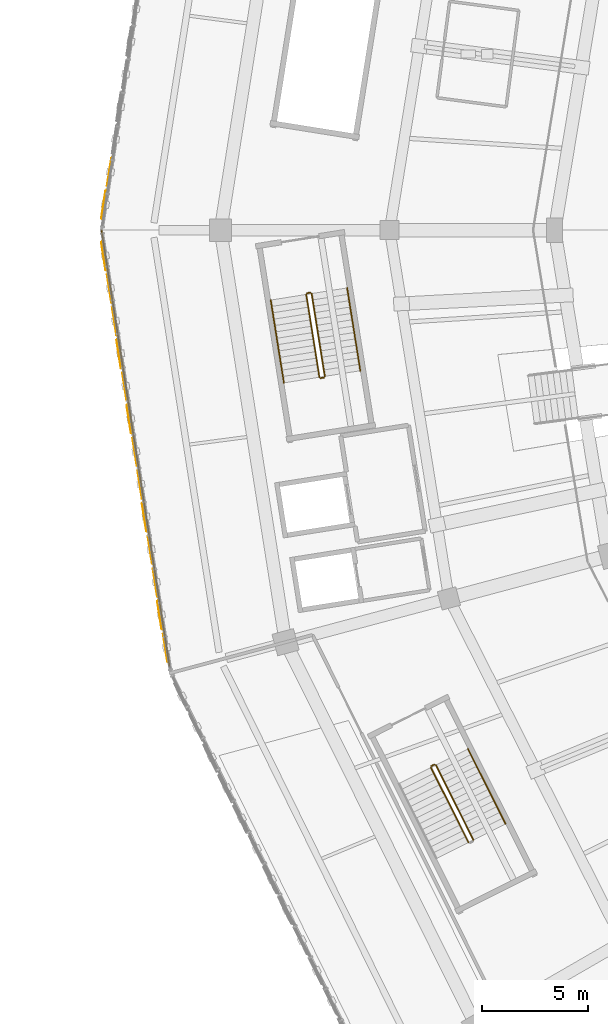
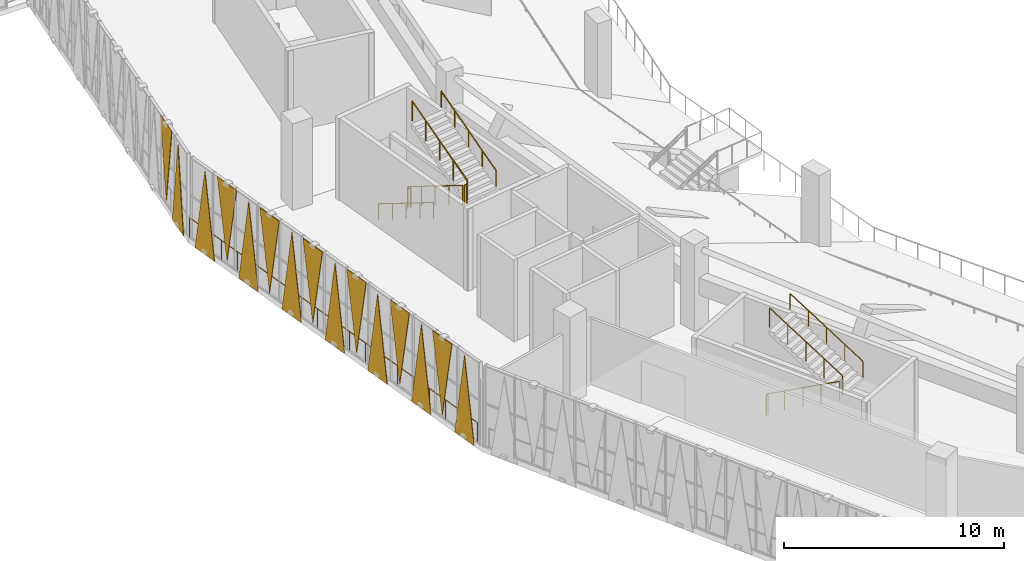
# One storey, part 121 of 152: 15 coverings, 11 railings.
"""IFC4 building model written with IfcOpenShell, lengths in metres."""

import ifcopenshell
import ifcopenshell.guid

model = None  # the IFC model being written
_history = None  # IfcOwnerHistory: only IFC2X3 demands one
_inside = {}  # id of a spatial element -> (the spatial element, [elements in it])
_under = {}  # id of a project, library or spatial element -> (it, [spatial elements below it])
_declared = {}  # id of a project -> (the project, [libraries it declares])
_typed = {}  # id of a type object -> (the type object, [elements of that type])
_made_of = {}  # id of a material, layer set ... -> (it, [elements and type objects made of it])


def new_model(schema):
    """Start an empty IFC model of exactly this schema.

    Asked for "IFC4X3", IfcOpenShell would pick the latest addendum, in which some entities
    have other attributes; the version numbers below select the first issue.
    IFC2X3 requires an IfcOwnerHistory on every rooted entity: one is made here for all.
    """
    global model, _history
    if schema == "IFC4X3":
        model = ifcopenshell.file(schema_version=(4, 3, 0, 0))
    else:
        model = ifcopenshell.file(schema=schema)
    _inside.clear()
    _under.clear()
    _declared.clear()
    _typed.clear()
    _made_of.clear()
    _history = None
    if model.schema == "IFC2X3":
        org = make("IfcOrganization", Name="unknown")
        user = make(
            "IfcPersonAndOrganization",
            ThePerson=make("IfcPerson", FamilyName="unknown"),
            TheOrganization=org,
        )
        app = make(
            "IfcApplication",
            ApplicationDeveloper=org,
            Version="unknown",
            ApplicationFullName="unknown",
            ApplicationIdentifier="unknown",
        )
        _history = make(
            "IfcOwnerHistory",
            OwningUser=user,
            OwningApplication=app,
            ChangeAction="ADDED",
            CreationDate=0,
        )
    return model


def make(cls, **values):
    """One entity of the class cls with the attributes given. An attribute that is None is left unset."""
    return model.create_entity(
        cls, **{name: value for name, value in values.items() if value is not None}
    )


def rooted(cls, **values):
    """An entity with a GlobalId (a new one), such as an element, a storey or a relation."""
    return make(cls, GlobalId=ifcopenshell.guid.new(), OwnerHistory=_history, **values)


def si_unit(unit_type, name, prefix=None):
    """IfcSIUnit, for example si_unit("LENGTHUNIT", "METRE", prefix="MILLI")."""
    return make("IfcSIUnit", UnitType=unit_type, Prefix=prefix, Name=name)


def assignment(units):
    """IfcUnitAssignment: the units of a project."""
    return None if units is None else make("IfcUnitAssignment", Units=units)


def point(xyz):
    """IfcCartesianPoint."""
    return None if xyz is None else make("IfcCartesianPoint", Coordinates=xyz)


def direction(xyz):
    """IfcDirection."""
    return None if xyz is None else make("IfcDirection", DirectionRatios=xyz)


def frame(location, z_axis=None, x_axis=None):
    """IfcAxis2Placement3D, a coordinate frame: its origin and axes. An axis left out is left unset."""
    return make(
        "IfcAxis2Placement3D",
        Location=point(location),
        Axis=direction(z_axis),
        RefDirection=direction(x_axis),
    )


def frame_2d(location, x_axis=None):
    """IfcAxis2Placement2D, a coordinate frame in the plane: its origin and x axis."""
    return make(
        "IfcAxis2Placement2D", Location=point(location), RefDirection=direction(x_axis)
    )


def origin():
    """The frame at (0, 0, 0) with its axes left unset."""
    return frame((0.0, 0.0, 0.0))


def origin_2d():
    """The frame at (0, 0) in the plane with its x axis left unset."""
    return frame_2d((0.0, 0.0))


def place(relative_to, where):
    """IfcLocalPlacement: puts the frame where relative to a parent placement (None: the world)."""
    return make(
        "IfcLocalPlacement", PlacementRelTo=relative_to, RelativePlacement=where
    )


def context(
    kind, dimensions, precision=None, world=None, true_north=None, identifier=None
):
    """IfcGeometricRepresentationContext, for example the 3D "Model" context."""
    return make(
        "IfcGeometricRepresentationContext",
        ContextIdentifier=identifier,
        ContextType=kind,
        CoordinateSpaceDimension=dimensions,
        Precision=precision,
        WorldCoordinateSystem=world,
        TrueNorth=true_north,
    )


def subcontext(parent, identifier, kind, view, scale=None):
    """IfcGeometricRepresentationSubContext, for example "Body" below "Model"."""
    return make(
        "IfcGeometricRepresentationSubContext",
        ContextIdentifier=identifier,
        ContextType=kind,
        ParentContext=parent,
        TargetScale=scale,
        TargetView=view,
    )


def project(units=None, contexts=None):
    """IfcProject with its units and contexts."""
    return rooted(
        "IfcProject",
        Name="project",
        RepresentationContexts=contexts,
        UnitsInContext=assignment(units),
    )


def spatial(cls, under=None, at=None, **own):
    """A site, building, storey or space (cls), placed at a placement, below another one or the project."""
    s = rooted(cls, ObjectPlacement=at, **own)
    if under is not None:
        _under.setdefault(under.id(), (under, []))[1].append(s)
    return s


def polyline(points):
    """IfcPolyline through the points."""
    return make("IfcPolyline", Points=[point(p) for p in points])


def profile(cls, at=None, kind="AREA", **sizes):
    """A parametric profile (cls). Its sizes go by their IFC names, for example OverallWidth=200.0."""
    return make(cls, ProfileType=kind, Position=at, **sizes)


def circle(**sizes):
    """IfcCircleProfileDef."""
    return profile("IfcCircleProfileDef", **sizes)


def outline(outer, holes=None, kind="AREA"):
    """IfcArbitraryClosedProfileDef: a profile drawn as a closed curve; with holes, ...WithVoids."""
    if holes is None:
        return make("IfcArbitraryClosedProfileDef", ProfileType=kind, OuterCurve=outer)
    return make(
        "IfcArbitraryProfileDefWithVoids",
        ProfileType=kind,
        OuterCurve=outer,
        InnerCurves=holes,
    )


def extrude(swept, where, along, depth):
    """IfcExtrudedAreaSolid: the profile swept, set in the frame where, extruded along a direction by depth."""
    return make(
        "IfcExtrudedAreaSolid",
        SweptArea=swept,
        Position=where,
        ExtrudedDirection=direction(along),
        Depth=depth,
    )


def shape(context_of_items, identifier, shape_type, items):
    """IfcShapeRepresentation: the items that make up one representation, for example the "Body"."""
    return make(
        "IfcShapeRepresentation",
        ContextOfItems=context_of_items,
        RepresentationIdentifier=identifier,
        RepresentationType=shape_type,
        Items=items,
    )


def material(Name=None, Category=None):
    """IfcMaterial."""
    return make("IfcMaterial", Name=Name, Category=Category)


def layer(
    of_material, thickness, ventilated=None, Name=None, Category=None, Priority=None
):
    """IfcMaterialLayer: one layer of a wall or slab, of a material (None: an air gap)."""
    return make(
        "IfcMaterialLayer",
        Material=of_material,
        LayerThickness=thickness,
        IsVentilated=ventilated,
        Name=Name,
        Category=Category,
        Priority=Priority,
    )


def layer_set(layers, Name=None):
    """IfcMaterialLayerSet."""
    return make("IfcMaterialLayerSet", MaterialLayers=layers, LayerSetName=Name)


def made_of(thing, what):
    """Note that an element or type object is made of a material, layer set ...; save() writes the relation."""
    if what is not None:
        _made_of.setdefault(what.id(), (what, []))[1].append(thing)
    return thing


def type_object(cls, material=None, **own):
    """A type object (cls), such as IfcWallType, which elements share."""
    return made_of(rooted(cls, **own), material)


def element(
    cls,
    number,
    at=None,
    inside=None,
    cuts=None,
    type_object=None,
    material=None,
    context=None,
    identifier="Body",
    shape_type=None,
    held_by="IfcProductDefinitionShape",
    body=None,
    shapes=None,
    **own,
):
    """One element of the class cls, such as IfcWall. Its Tag is "e" and its number.

    at: its placement. inside: the storey or other place that contains it. cuts: it is an
    opening in that element (IfcRelVoidsElement). A single representation is given by context,
    identifier, shape_type and body (its items); several are given by shapes. held_by: the class
    of the entity that holds the representations. save() writes the other relations.
    """
    e = rooted(cls, Tag="e%d" % number, ObjectPlacement=at, **own)
    if body is not None:
        shapes = [shape(context, identifier, shape_type, body)]
    if shapes is not None:
        e.Representation = make(held_by, Representations=shapes)
    if inside is not None:
        _inside.setdefault(inside.id(), (inside, []))[1].append(e)
    if cuts is not None:
        rooted(
            "IfcRelVoidsElement", RelatingBuildingElement=cuts, RelatedOpeningElement=e
        )
    if type_object is not None:
        _typed.setdefault(type_object.id(), (type_object, []))[1].append(e)
    return made_of(e, material)


def aggregate(whole, parts):
    """IfcRelAggregates: a whole, such as a stair, and the parts it consists of."""
    return rooted("IfcRelAggregates", RelatingObject=whole, RelatedObjects=parts)


def save(model, path):
    """Write the relations noted so far, then the file.

    IfcRelAggregates (storeys below a building ...), IfcRelContainedInSpatialStructure (elements
    in a storey), IfcRelDefinesByType, IfcRelAssociatesMaterial and IfcRelDeclares: one each for
    every whole, place, type object, material and project.
    """
    for whole, parts in _under.values():
        aggregate(whole, parts)
    for where, things in _inside.values():
        rooted(
            "IfcRelContainedInSpatialStructure",
            RelatedElements=things,
            RelatingStructure=where,
        )
    for kind, things in _typed.values():
        rooted("IfcRelDefinesByType", RelatedObjects=things, RelatingType=kind)
    for what, things in _made_of.values():
        rooted("IfcRelAssociatesMaterial", RelatedObjects=things, RelatingMaterial=what)
    for by, libraries in _declared.values():
        rooted("IfcRelDeclares", RelatingContext=by, RelatedDefinitions=libraries)
    model.write(path)


model = new_model("IFC4")

# Units and contexts
model_context = context("Model", 3, precision=1e-05, world=origin(), true_north=direction((0.0, 1.0)))
body_context = subcontext(model_context, "Body", "Model", "MODEL_VIEW")
ifc_project = project(units=[si_unit("LENGTHUNIT", "METRE"), si_unit("AREAUNIT", "SQUARE_METRE"), si_unit("VOLUMEUNIT", "CUBIC_METRE"), si_unit("PLANEANGLEUNIT", "RADIAN"), si_unit("MASSUNIT", "GRAM", prefix="KILO")], contexts=[model_context])

# Site, building, storey
site_placement = place(None, origin())
site = spatial("IfcSite", under=ifc_project, at=site_placement, CompositionType="ELEMENT")
building_placement = place(site_placement, origin())
building = spatial("IfcBuilding", under=site, at=building_placement, Name="Zevraka Park Crest Stadium", CompositionType="ELEMENT")
storey_placement = place(building_placement, frame((0.0, 0.0, 15.0)))
storey = spatial("IfcBuildingStorey", under=building, at=storey_placement, Name="L03", CompositionType="ELEMENT", Elevation=15.0)

# Coverings
ifc_material_1 = material(Name="Architectural golden-bronze perforated aluminium", Category="aluminium")
ifc_layer = layer(ifc_material_1, 0.034912109375)
ifc_layer_set = layer_set([ifc_layer], Name="Architectural golden-bronze perforated aluminium")
covering_type = type_object("IfcCoveringType", Name="CLD01", PredefinedType="CLADDING", material=ifc_layer_set)
covering_1_placement = place(storey_placement, frame((16.322998046875, 94.068115234375, 4.52001953125), z_axis=(-0.988065896306, 0.154031762944, 2.3676663e-05), x_axis=(0.154031762987, 0.988065896583, 0.0)))
element("IfcCovering", 1, at=covering_1_placement, inside=storey, type_object=covering_type, Name="Triangular Golden-Bronze Perforated Cladding L03-11-12", PredefinedType="CLADDING", context=body_context, shape_type="SweptSolid", body=[
    extrude(outline(polyline([(0.0, 0.0), (1.4027266125847992, 0.0), (0.7012238900741903, 4.3000488293302706), (0.0, 0.0)])), origin(), (0.0, 0.0, -1.0), 0.034912109375),
])
covering_2_placement = place(storey_placement, frame((16.298095703125, 93.909912109375, -0.260009765625), z_axis=(0.988065896134, -0.154031762917, 3.0175905e-05), x_axis=(-0.154031762987, -0.988065896583, 0.0)))
element("IfcCovering", 2, at=covering_2_placement, inside=storey, type_object=covering_type, Name="Triangular Golden-Bronze Perforated Cladding L03-11-13", PredefinedType="CLADDING", context=body_context, shape_type="SweptSolid", body=[
    extrude(outline(polyline([(0.0, 0.0), (1.4027266125847992, 0.0), (0.7012614954850758, -4.620117189603506), (0.0, 0.0)])), origin(), (0.0, 0.0, -1.0), 0.034912109375),
])
covering_3_placement = place(storey_placement, frame((16.08203125, 91.47607421875, -0.260009765625), z_axis=(0.988065896134, 0.154031762917, 3.0175905e-05), x_axis=(0.154031762987, -0.988065896583, 0.0)))
element("IfcCovering", 3, at=covering_3_placement, inside=storey, type_object=covering_type, Name="Triangular Golden-Bronze Perforated Cladding L03-12-1", PredefinedType="CLADDING", context=body_context, shape_type="SweptSolid", body=[
    extrude(outline(polyline([(0.0, 0.0), (1.4027266125847992, 0.0), (0.7014651170997235, -4.620117189603506), (0.0, 0.0)])), origin(), (0.0, 0.0, -1.0), 0.034912109375),
])
covering_4_placement = place(storey_placement, frame((16.5390625, 88.5458984375, 4.52001953125), z_axis=(-0.988065896306, -0.154031762944, 2.3676663e-05), x_axis=(-0.154031762987, 0.988065896583, 0.0)))
element("IfcCovering", 4, at=covering_4_placement, inside=storey, type_object=covering_type, Name="Triangular Golden-Bronze Perforated Cladding L03-12-2", PredefinedType="CLADDING", context=body_context, shape_type="SweptSolid", body=[
    extrude(outline(polyline([(0.0, 0.0), (1.4027266125847992, 0.0), (0.7015027225106089, 4.3000488293302706), (0.0, 0.0)])), origin(), (0.0, 0.0, -1.0), 0.034912109375),
])
covering_5_placement = place(storey_placement, frame((16.56396484375, 88.387939453125, -0.260009765625), z_axis=(-0.988065896134, -0.154031762917, 3.0175905e-05), x_axis=(0.154031762987, -0.988065896583, 0.0)))
element("IfcCovering", 5, at=covering_5_placement, inside=storey, type_object=covering_type, Name="Triangular Golden-Bronze Perforated Cladding L03-12-3", PredefinedType="CLADDING", context=body_context, shape_type="SweptSolid", body=[
    extrude(outline(polyline([(0.0, 0.0), (1.4027266125847992, 0.0), (0.7012614954850758, 4.620117189603506), (0.0, 0.0)])), origin(), (0.0, 0.0, -1.0), 0.034912109375),
])
covering_6_placement = place(storey_placement, frame((17.02099609375, 85.4580078125, 4.52001953125), z_axis=(0.988065896306, 0.154031762944, 2.3676663e-05), x_axis=(-0.154031762987, 0.988065896583, 0.0)))
element("IfcCovering", 6, at=covering_6_placement, inside=storey, type_object=covering_type, Name="Triangular Golden-Bronze Perforated Cladding L03-12-4", PredefinedType="CLADDING", context=body_context, shape_type="SweptSolid", body=[
    extrude(outline(polyline([(0.0, 0.0), (1.4027266125847992, 0.0), (0.7012238900741903, -4.3000488293302706), (0.0, 0.0)])), origin(), (0.0, 0.0, -1.0), 0.034912109375),
])
covering_7_placement = place(storey_placement, frame((17.044921875, 85.299072265625, -0.260009765625), z_axis=(-0.987959710931, -0.154711323413, 0.000126429064), x_axis=(0.15471132465, -0.987959718827, 0.0)))
element("IfcCovering", 7, at=covering_7_placement, inside=storey, type_object=covering_type, Name="Triangular Golden-Bronze Perforated Cladding L03-12-5", PredefinedType="CLADDING", context=body_context, shape_type="SweptSolid", body=[
    extrude(outline(polyline([(0.0, 0.0), (1.402877366063389, -3.3881317890172014e-21), (0.7016537118820457, 4.62011722442469), (0.0, 0.0)])), origin(), (0.0, 0.0, -1.0), 0.034912109375),
])
covering_8_placement = place(storey_placement, frame((17.5029296875, 82.368896484375, 4.52001953125), z_axis=(0.987959708495, 0.154711323032, 0.00014462357), x_axis=(-0.15471132465, 0.987959718827, 0.0)))
element("IfcCovering", 8, at=covering_8_placement, inside=storey, type_object=covering_type, Name="Triangular Golden-Bronze Perforated Cladding L03-12-6", PredefinedType="CLADDING", context=body_context, shape_type="SweptSolid", body=[
    extrude(outline(polyline([(0.0, 0.0), (1.4028773660633889, 0.0), (0.7014648552845726, -4.3000488730948625), (0.0, 0.0)])), origin(), (0.0, 0.0, -1.0), 0.034912109375),
])
covering_9_placement = place(storey_placement, frame((17.527099609375, 82.2109375, -0.260009765625), z_axis=(-0.987986299127, -0.154541453871, 0.000108499436), x_axis=(0.154541454781, -0.987986304943, 0.0)))
element("IfcCovering", 9, at=covering_9_placement, inside=storey, type_object=covering_type, Name="Triangular Golden-Bronze Perforated Cladding L03-12-7", PredefinedType="CLADDING", context=body_context, shape_type="SweptSolid", body=[
    extrude(outline(polyline([(0.0, 0.0), (1.4028396154796832, 0.0), (0.7013746636375686, 4.620117214694304), (0.0, 0.0)])), origin(), (0.0, 0.0, -1.0), 0.034912109375),
])
covering_10_placement = place(storey_placement, frame((17.985107421875, 79.281005859375, 4.52001953125), z_axis=(-0.987959709712, -0.154711323222, 0.000135839642), x_axis=(-0.15471132465, 0.987959718827, 0.0)))
element("IfcCovering", 10, at=covering_10_placement, inside=storey, type_object=covering_type, Name="Triangular Golden-Bronze Perforated Cladding L03-12-8", PredefinedType="CLADDING", context=body_context, shape_type="SweptSolid", body=[
    extrude(outline(polyline([(0.0, 0.0), (1.402877366063389, -3.3881317890172014e-21), (0.7016537118820457, 4.300048867798131), (0.0, 0.0)])), origin(), (0.0, 0.0, -1.0), 0.034912109375),
])
covering_11_placement = place(storey_placement, frame((18.009033203125, 79.123046875, -0.260009765625), z_axis=(0.987959709877, 0.154711323248, 0.000134604467), x_axis=(0.15471132465, -0.987959718827, 0.0)))
element("IfcCovering", 11, at=covering_11_placement, inside=storey, type_object=covering_type, Name="Triangular Golden-Bronze Perforated Cladding L03-12-9", PredefinedType="CLADDING", context=body_context, shape_type="SweptSolid", body=[
    extrude(outline(polyline([(0.0, 0.0), (1.402877366063389, -3.3881317890172014e-21), (0.7014648552845727, -4.62011722935448), (0.0, 0.0)])), origin(), (0.0, 0.0, -1.0), 0.034912109375),
])
covering_12_placement = place(storey_placement, frame((18.466064453125, 76.19189453125, 4.52001953125), z_axis=(-0.988065896306, -0.154031762944, 2.3676663e-05), x_axis=(-0.154031762987, 0.988065896583, 0.0)))
element("IfcCovering", 12, at=covering_12_placement, inside=storey, type_object=covering_type, Name="Triangular Golden-Bronze Perforated Cladding L03-12-10", PredefinedType="CLADDING", context=body_context, shape_type="SweptSolid", body=[
    extrude(outline(polyline([(0.0, 0.0), (1.4027266125847992, 0.0), (0.7015027225106089, 4.3000488293302706), (0.0, 0.0)])), origin(), (0.0, 0.0, -1.0), 0.034912109375),
])
covering_13_placement = place(storey_placement, frame((18.490966796875, 76.033935546875, -0.260009765625), z_axis=(-0.988065896134, -0.154031762917, 3.0175905e-05), x_axis=(0.154031762987, -0.988065896583, 0.0)))
element("IfcCovering", 13, at=covering_13_placement, inside=storey, type_object=covering_type, Name="Triangular Golden-Bronze Perforated Cladding L03-12-11", PredefinedType="CLADDING", context=body_context, shape_type="SweptSolid", body=[
    extrude(outline(polyline([(0.0, 0.0), (1.4027266125847992, 0.0), (0.7012614954850758, 4.620117189603506), (0.0, 0.0)])), origin(), (0.0, 0.0, -1.0), 0.034912109375),
])
covering_14_placement = place(storey_placement, frame((18.947998046875, 73.10400390625, 4.52001953125), z_axis=(0.988065896064, 0.154031762906, 3.2422008e-05), x_axis=(-0.154031762987, 0.988065896583, 0.0)))
element("IfcCovering", 14, at=covering_14_placement, inside=storey, type_object=covering_type, Name="Triangular Golden-Bronze Perforated Cladding L03-12-12", PredefinedType="CLADDING", context=body_context, shape_type="SweptSolid", body=[
    extrude(outline(polyline([(0.0, 0.0), (1.4027266125847992, -8.470329472543003e-22), (0.7014651170997234, -4.3000488303850775), (0.0, 0.0)])), origin(), (0.0, 0.0, -1.0), 0.034912109375),
])
covering_15_placement = place(storey_placement, frame((18.972900390625, 72.946044921875, -0.260009765625), z_axis=(-0.988065896343, -0.154031762949, 2.2036412e-05), x_axis=(0.154031762987, -0.988065896583, 0.0)))
element("IfcCovering", 15, at=covering_15_placement, inside=storey, type_object=covering_type, Name="Triangular Golden-Bronze Perforated Cladding L03-12-13", PredefinedType="CLADDING", context=body_context, shape_type="SweptSolid", body=[
    extrude(outline(polyline([(0.0, 0.0), (1.4027266125847992, 0.0), (0.7015027225106089, 4.620117188621773), (0.0, 0.0)])), origin(), (0.0, 0.0, -1.0), 0.034912109375),
])

# Railings
ifc_material_2 = material(Name="Galvanised and bronze-finished steel balustrade", Category="steel")
railing_type_1 = type_object("IfcRailingType", Name="GR01", PredefinedType="GUARDRAIL", material=ifc_material_2)
railing_1_placement = place(storey_placement, frame((19.284912109375, 71.402099609375, 0.0)))
element("IfcRailing", 16, at=railing_1_placement, inside=storey, type_object=railing_type_1, Name="Deck Edge Protection Guardrail GR01 L03-46", PredefinedType="GUARDRAIL", context=body_context, shape_type="SweptSolid", body=[
    extrude(circle(Radius=0.02392578125, at=origin_2d()), frame((0.0, 0.0, 1.076171875), z_axis=(-0.154163600282, 0.988045335168, 0.0), x_axis=(-0.988045335168, -0.154163600282, 0.0)), (0.0, 0.0, 1.0), 20.84716796875),
    extrude(circle(Radius=0.02099609375, at=origin_2d()), origin(), (0.0, 0.0, 1.0), 1.052001953125),
    extrude(circle(Radius=0.02099609375, at=origin_2d()), frame((-0.178466796875, 1.144287109375, 0.0)), (0.0, 0.0, 1.0), 1.052001953125),
    extrude(circle(Radius=0.02099609375, at=origin_2d()), frame((-0.357177734375, 2.28857421875, 0.0)), (0.0, 0.0, 1.0), 1.052001953125),
    extrude(circle(Radius=0.02099609375, at=origin_2d()), frame((-0.53564453125, 3.43310546875, 0.0)), (0.0, 0.0, 1.0), 1.052001953125),
    extrude(circle(Radius=0.02099609375, at=origin_2d()), frame((-0.714111328125, 4.577392578125, 0.0)), (0.0, 0.0, 1.0), 1.052001953125),
    extrude(circle(Radius=0.02099609375, at=origin_2d()), frame((-0.892822265625, 5.7216796875, 0.0)), (0.0, 0.0, 1.0), 1.052001953125),
    extrude(circle(Radius=0.02099609375, at=origin_2d()), frame((-1.0712890625, 6.865966796875, 0.0)), (0.0, 0.0, 1.0), 1.052001953125),
    extrude(circle(Radius=0.02099609375, at=origin_2d()), frame((-1.249755859375, 8.01025390625, 0.0)), (0.0, 0.0, 1.0), 1.052001953125),
    extrude(circle(Radius=0.02099609375, at=origin_2d()), frame((-1.428466796875, 9.154541015625, 0.0)), (0.0, 0.0, 1.0), 1.052001953125),
    extrude(circle(Radius=0.02099609375, at=origin_2d()), frame((-1.60693359375, 10.298828125, 0.0)), (0.0, 0.0, 1.0), 1.052001953125),
    extrude(circle(Radius=0.02099609375, at=origin_2d()), frame((-1.785400390625, 11.443359375, 0.0)), (0.0, 0.0, 1.0), 1.052001953125),
    extrude(circle(Radius=0.02099609375, at=origin_2d()), frame((-1.964111328125, 12.587646484375, 0.0)), (0.0, 0.0, 1.0), 1.052001953125),
    extrude(circle(Radius=0.02099609375, at=origin_2d()), frame((-2.142578125, 13.73193359375, 0.0)), (0.0, 0.0, 1.0), 1.052001953125),
    extrude(circle(Radius=0.02099609375, at=origin_2d()), frame((-2.321044921875, 14.876220703125, 0.0)), (0.0, 0.0, 1.0), 1.052001953125),
    extrude(circle(Radius=0.02099609375, at=origin_2d()), frame((-2.499755859375, 16.0205078125, 0.0)), (0.0, 0.0, 1.0), 1.052001953125),
    extrude(circle(Radius=0.02099609375, at=origin_2d()), frame((-2.67822265625, 17.1650390625, 0.0)), (0.0, 0.0, 1.0), 1.052001953125),
    extrude(circle(Radius=0.02099609375, at=origin_2d()), frame((-2.856689453125, 18.309326171875, 0.0)), (0.0, 0.0, 1.0), 1.052001953125),
    extrude(circle(Radius=0.02099609375, at=origin_2d()), frame((-3.035400390625, 19.45361328125, 0.0)), (0.0, 0.0, 1.0), 1.052001953125),
    extrude(circle(Radius=0.02099609375, at=origin_2d()), frame((-3.2138671875, 20.597900390625, 0.0)), (0.0, 0.0, 1.0), 1.052001953125),
])
ifc_material_3 = material(Name="Powder-coated tubular steel stairwell guard", Category="steel")
railing_type_2 = type_object("IfcRailingType", Name="GR03", PredefinedType="GUARDRAIL", material=ifc_material_3)
railing_2_placement = place(storey_placement, frame((25.75341796875, 88.960205078125, 0.17138671875)))
element("IfcRailing", 17, at=railing_2_placement, inside=storey, type_object=railing_type_2, Name="L03 ST13 stair guard 1", PredefinedType="GUARDRAIL", context=body_context, shape_type="SweptSolid", body=[
    extrude(circle(Radius=0.02392578125, at=origin_2d()), frame((0.0, 0.0, 1.076171875), z_axis=(0.137093904715, -0.860889602123, 0.489973830165), x_axis=(0.987556409005, 0.157265186968, 0.0)), (0.0, 0.0, 1.0), 4.54833984375),
    extrude(circle(Radius=0.02099609375, at=origin_2d()), origin(), (0.0, 0.0, 1.0), 1.052001953125),
    extrude(circle(Radius=0.02099609375, at=origin_2d()), frame((0.15576171875, -0.97900390625, 0.55712890625)), (0.0, 0.0, 1.0), 1.052001953125),
    extrude(circle(Radius=0.02099609375, at=origin_2d()), frame((0.311767578125, -1.957763671875, 1.1142578125)), (0.0, 0.0, 1.0), 1.052001953125),
    extrude(circle(Radius=0.02099609375, at=origin_2d()), frame((0.4677734375, -2.9365234375, 1.67138671875)), (0.0, 0.0, 1.0), 1.052001953125),
    extrude(circle(Radius=0.02099609375, at=origin_2d()), frame((0.62353515625, -3.91552734375, 2.228515625)), (0.0, 0.0, 1.0), 1.052001953125),
])
railing_3_placement = place(storey_placement, frame((26.43408203125, 85.003173828125, 2.39990234375)))
element("IfcRailing", 18, at=railing_3_placement, inside=storey, type_object=railing_type_2, Name="L03 ST13 stair guard 2", PredefinedType="GUARDRAIL", context=body_context, shape_type="SweptSolid", body=[
    extrude(circle(Radius=0.02392578125, at=origin_2d()), frame((0.0, 0.0, 1.076171875), z_axis=(0.987601795403, 0.15697991501, 0.0), x_axis=(-0.15697991501, 0.987601795403, 0.0)), (0.0, 0.0, 1.0), 0.16015625),
    extrude(circle(Radius=0.02099609375, at=origin_2d()), origin(), (0.0, 0.0, 1.0), 1.052001953125),
    extrude(circle(Radius=0.02099609375, at=origin_2d()), frame((0.158203125, 0.025146484375, 0.0)), (0.0, 0.0, 1.0), 1.052001953125),
])
railing_4_placement = place(storey_placement, frame((26.6337890625, 85.08544921875, 2.571533203125)))
element("IfcRailing", 19, at=railing_4_placement, inside=storey, type_object=railing_type_2, Name="L03 ST13 stair guard 3", PredefinedType="GUARDRAIL", context=body_context, shape_type="SweptSolid", body=[
    extrude(circle(Radius=0.02392578125, at=origin_2d()), frame((0.0, 0.0, 1.076171875), z_axis=(-0.13708756972, 0.860903496765, 0.489951188881), x_axis=(-0.987557931786, -0.157255624277, 0.0)), (0.0, 0.0, 1.0), 4.54833984375),
    extrude(circle(Radius=0.02099609375, at=origin_2d()), origin(), (0.0, 0.0, 1.0), 1.052001953125),
    extrude(circle(Radius=0.02099609375, at=origin_2d()), frame((-0.15576171875, 0.97900390625, 0.55712890625)), (0.0, 0.0, 1.0), 1.052001953125),
    extrude(circle(Radius=0.02099609375, at=origin_2d()), frame((-0.311767578125, 1.9580078125, 1.1142578125)), (0.0, 0.0, 1.0), 1.052001953125),
    extrude(circle(Radius=0.02099609375, at=origin_2d()), frame((-0.4677734375, 2.936767578125, 1.67138671875)), (0.0, 0.0, 1.0), 1.052001953125),
    extrude(circle(Radius=0.02099609375, at=origin_2d()), frame((-0.62353515625, 3.915771484375, 2.228515625)), (0.0, 0.0, 1.0), 1.052001953125),
])
railing_5_placement = place(storey_placement, frame((25.794921875, 89.017578125, 0.0)))
element("IfcRailing", 20, at=railing_5_placement, inside=storey, type_object=railing_type_2, Name="L03 ST13 stair guard 4", PredefinedType="GUARDRAIL", context=body_context, shape_type="SweptSolid", body=[
    extrude(circle(Radius=0.02392578125, at=origin_2d()), frame((0.0, 0.0, 1.076171875), z_axis=(0.987564153079, 0.157216549872, 0.0), x_axis=(-0.157216549872, 0.987564153079, 0.0)), (0.0, 0.0, 1.0), 0.159912109375),
    extrude(circle(Radius=0.02099609375, at=origin_2d()), origin(), (0.0, 0.0, 1.0), 1.052001953125),
    extrude(circle(Radius=0.02099609375, at=origin_2d()), frame((0.157958984375, 0.025146484375, 0.0)), (0.0, 0.0, 1.0), 1.052001953125),
])
railing_6_placement = place(storey_placement, frame((31.6533203125, 66.586669921875, 0.17138671875)))
element("IfcRailing", 21, at=railing_6_placement, inside=storey, type_object=railing_type_2, Name="L03 ST14 stair guard 1", PredefinedType="GUARDRAIL", context=body_context, shape_type="SweptSolid", body=[
    extrude(circle(Radius=0.02392578125, at=origin_2d()), frame((0.0, 0.0, 1.076171875), z_axis=(0.390499471061, -0.779388635026, 0.489962772763), x_axis=(0.894057440576, 0.447952333346, 0.0)), (0.0, 0.0, 1.0), 4.54833984375),
    extrude(circle(Radius=0.02099609375, at=origin_2d()), origin(), (0.0, 0.0, 1.0), 1.052001953125),
    extrude(circle(Radius=0.02099609375, at=origin_2d()), frame((0.444091796875, -0.88623046875, 0.55712890625)), (0.0, 0.0, 1.0), 1.052001953125),
    extrude(circle(Radius=0.02099609375, at=origin_2d()), frame((0.88818359375, -1.7724609375, 1.1142578125)), (0.0, 0.0, 1.0), 1.052001953125),
    extrude(circle(Radius=0.02099609375, at=origin_2d()), frame((1.33203125, -2.65869140625, 1.67138671875)), (0.0, 0.0, 1.0), 1.052001953125),
    extrude(circle(Radius=0.02099609375, at=origin_2d()), frame((1.776123046875, -3.544921875, 2.228515625)), (0.0, 0.0, 1.0), 1.052001953125),
])
railing_7_placement = place(storey_placement, frame((33.661865234375, 63.158203125, 2.571533203125)))
element("IfcRailing", 22, at=railing_7_placement, inside=storey, type_object=railing_type_2, Name="L03 ST14 stair guard 3", PredefinedType="GUARDRAIL", context=body_context, shape_type="SweptSolid", body=[
    extrude(circle(Radius=0.02392578125, at=origin_2d()), frame((0.0, 0.0, 1.076171875), z_axis=(-0.39045397791, 0.779404971028, 0.489973042393), x_axis=(-0.894082100069, -0.447903112666, 0.0)), (0.0, 0.0, 1.0), 4.54833984375),
    extrude(circle(Radius=0.02099609375, at=origin_2d()), origin(), (0.0, 0.0, 1.0), 1.052001953125),
    extrude(circle(Radius=0.02099609375, at=origin_2d()), frame((-0.44384765625, 0.88623046875, 0.55712890625)), (0.0, 0.0, 1.0), 1.052001953125),
    extrude(circle(Radius=0.02099609375, at=origin_2d()), frame((-0.887939453125, 1.7724609375, 1.1142578125)), (0.0, 0.0, 1.0), 1.052001953125),
    extrude(circle(Radius=0.02099609375, at=origin_2d()), frame((-1.33203125, 2.65869140625, 1.67138671875)), (0.0, 0.0, 1.0), 1.052001953125),
    extrude(circle(Radius=0.02099609375, at=origin_2d()), frame((-1.77587890625, 3.544921875, 2.228515625)), (0.0, 0.0, 1.0), 1.052001953125),
])
railing_8_placement = place(storey_placement, frame((31.67578125, 66.65380859375, 0.0)))
element("IfcRailing", 23, at=railing_8_placement, inside=storey, type_object=railing_type_2, Name="L03 ST14 stair guard 4", PredefinedType="GUARDRAIL", context=body_context, shape_type="SweptSolid", body=[
    extrude(circle(Radius=0.02392578125, at=origin_2d()), frame((0.0, 0.0, 1.076171875), z_axis=(0.894427191, 0.4472135955, 0.0), x_axis=(-0.4472135955, 0.894427191, 0.0)), (0.0, 0.0, 1.0), 0.159912109375),
    extrude(circle(Radius=0.02099609375, at=origin_2d()), origin(), (0.0, 0.0, 1.0), 1.052001953125),
    extrude(circle(Radius=0.02099609375, at=origin_2d()), frame((0.14306640625, 0.071533203125, 0.0)), (0.0, 0.0, 1.0), 1.052001953125),
])
ifc_material_4 = material(Name="Brushed stainless steel continuous handrail", Category="steel")
railing_type_3 = type_object("IfcRailingType", Name="HR01", PredefinedType="HANDRAIL", material=ifc_material_4)
railing_9_placement = place(storey_placement, frame((24.074462890625, 88.69287109375, 0.17138671875)))
element("IfcRailing", 24, at=railing_9_placement, inside=storey, type_object=railing_type_3, Name="L03 ST13 stair handrail 1", PredefinedType="HANDRAIL", context=body_context, shape_type="SweptSolid", body=[
    extrude(circle(Radius=0.02392578125, at=origin_2d()), frame((0.0, 0.0, 0.8759765625), z_axis=(0.137093904715, -0.860889602123, 0.489973830165), x_axis=(0.987556409005, 0.157265186968, 0.0)), (0.0, 0.0, 1.0), 4.54833984375),
    extrude(circle(Radius=0.02099609375, at=origin_2d()), origin(), (0.0, 0.0, 1.0), 0.851806640625),
    extrude(circle(Radius=0.02099609375, at=origin_2d()), frame((0.15576171875, -0.97900390625, 0.55712890625)), (0.0, 0.0, 1.0), 0.851806640625),
    extrude(circle(Radius=0.02099609375, at=origin_2d()), frame((0.311767578125, -1.957763671875, 1.1142578125)), (0.0, 0.0, 1.0), 0.851806640625),
    extrude(circle(Radius=0.02099609375, at=origin_2d()), frame((0.4677734375, -2.9365234375, 1.67138671875)), (0.0, 0.0, 1.0), 0.851806640625),
    extrude(circle(Radius=0.02099609375, at=origin_2d()), frame((0.62353515625, -3.91552734375, 2.228515625)), (0.0, 0.0, 1.0), 0.851806640625),
])
railing_10_placement = place(storey_placement, frame((28.3125, 85.352783203125, 2.571533203125)))
element("IfcRailing", 25, at=railing_10_placement, inside=storey, type_object=railing_type_3, Name="L03 ST13 stair handrail 2", PredefinedType="HANDRAIL", context=body_context, shape_type="SweptSolid", body=[
    extrude(circle(Radius=0.02392578125, at=origin_2d()), frame((0.0, 0.0, 0.8759765625), z_axis=(-0.13708756972, 0.860903496765, 0.489951188881), x_axis=(-0.987557931786, -0.157255624277, 0.0)), (0.0, 0.0, 1.0), 4.54833984375),
    extrude(circle(Radius=0.02099609375, at=origin_2d()), origin(), (0.0, 0.0, 1.0), 0.851806640625),
    extrude(circle(Radius=0.02099609375, at=origin_2d()), frame((-0.15576171875, 0.97900390625, 0.55712890625)), (0.0, 0.0, 1.0), 0.851806640625),
    extrude(circle(Radius=0.02099609375, at=origin_2d()), frame((-0.311767578125, 1.9580078125, 1.1142578125)), (0.0, 0.0, 1.0), 0.851806640625),
    extrude(circle(Radius=0.02099609375, at=origin_2d()), frame((-0.4677734375, 2.936767578125, 1.67138671875)), (0.0, 0.0, 1.0), 0.851806640625),
    extrude(circle(Radius=0.02099609375, at=origin_2d()), frame((-0.62353515625, 3.915771484375, 2.228515625)), (0.0, 0.0, 1.0), 0.851806640625),
])
railing_11_placement = place(storey_placement, frame((35.181884765625, 63.919677734375, 2.571533203125)))
element("IfcRailing", 26, at=railing_11_placement, inside=storey, type_object=railing_type_3, Name="L03 ST14 stair handrail 2", PredefinedType="HANDRAIL", context=body_context, shape_type="SweptSolid", body=[
    extrude(circle(Radius=0.02392578125, at=origin_2d()), frame((0.0, 0.0, 0.8759765625), z_axis=(-0.390499471061, 0.779388635026, 0.489962772763), x_axis=(-0.894057440576, -0.447952333346, 0.0)), (0.0, 0.0, 1.0), 4.54833984375),
    extrude(circle(Radius=0.02099609375, at=origin_2d()), origin(), (0.0, 0.0, 1.0), 0.851806640625),
    extrude(circle(Radius=0.02099609375, at=origin_2d()), frame((-0.444091796875, 0.88623046875, 0.55712890625)), (0.0, 0.0, 1.0), 0.851806640625),
    extrude(circle(Radius=0.02099609375, at=origin_2d()), frame((-0.88818359375, 1.7724609375, 1.1142578125)), (0.0, 0.0, 1.0), 0.851806640625),
    extrude(circle(Radius=0.02099609375, at=origin_2d()), frame((-1.33203125, 2.65869140625, 1.67138671875)), (0.0, 0.0, 1.0), 0.851806640625),
    extrude(circle(Radius=0.02099609375, at=origin_2d()), frame((-1.776123046875, 3.544921875, 2.228515625)), (0.0, 0.0, 1.0), 0.851806640625),
])

save(model, "model.ifc")
